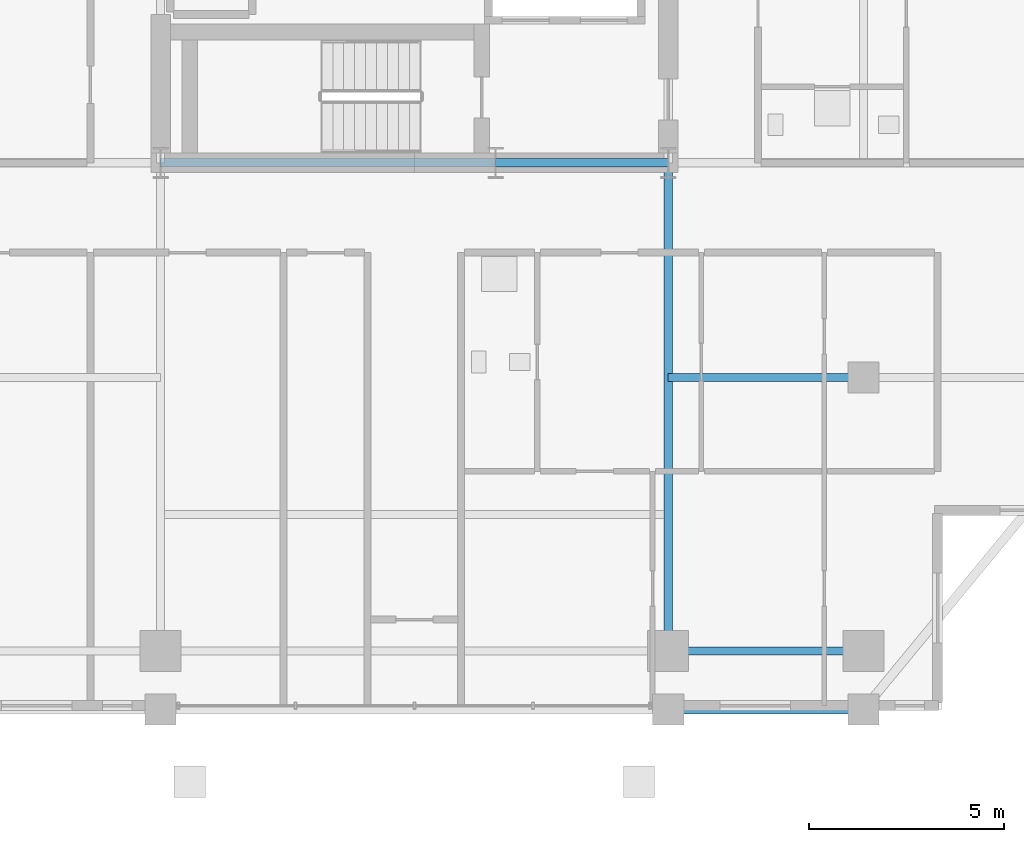
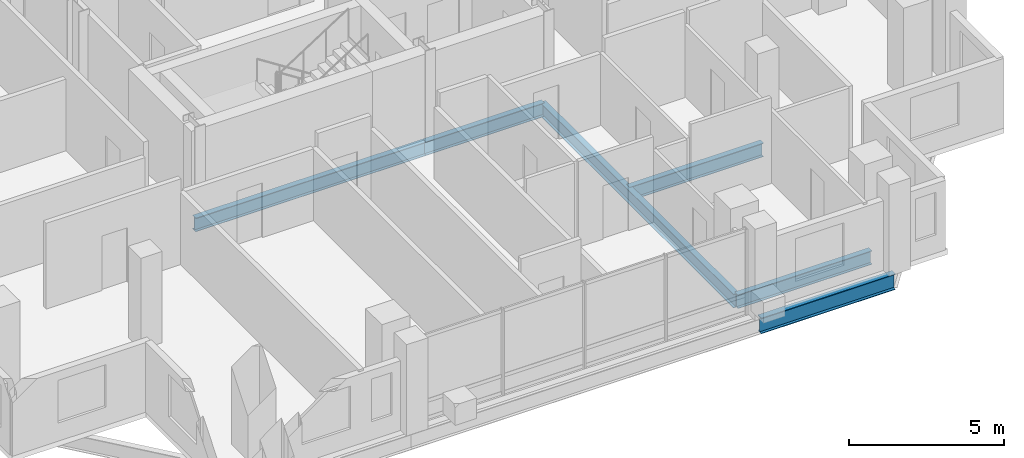
# One storey, part 5 of 24: 6 beams.
"""IFC4 building model written with IfcOpenShell, lengths in metres."""

from ifc_helpers import new_model, si_unit, direction, frame, origin, origin_2d, place, context, subcontext, project, spatial, i_section, extrude, material, material_profile, profile_set, type_object, element, save


model = new_model("IFC4")

# Units and contexts
model_context = context("Model", 3, precision=1e-05, world=origin(), true_north=direction((0.0, 1.0)))
body_context = subcontext(model_context, "Body", "Model", "MODEL_VIEW")
ifc_project = project(units=[si_unit("LENGTHUNIT", "METRE"), si_unit("AREAUNIT", "SQUARE_METRE"), si_unit("VOLUMEUNIT", "CUBIC_METRE"), si_unit("PLANEANGLEUNIT", "RADIAN"), si_unit("MASSUNIT", "GRAM", prefix="KILO")], contexts=[model_context])

# Site, building, storey
site_placement = place(None, origin())
site = spatial("IfcSite", under=ifc_project, at=site_placement, CompositionType="ELEMENT")
building_placement = place(site_placement, origin())
building = spatial("IfcBuilding", under=site, at=building_placement, Name="Barlavira Tower and Art Museum", CompositionType="ELEMENT")
storey_placement = place(building_placement, frame((0.0, 0.0, 180.0)))
storey = spatial("IfcBuildingStorey", under=building, at=storey_placement, Name="L46", CompositionType="ELEMENT", Elevation=180.0)

# Beams
ifc_material = material(Name="Steel S355", Category="steel")
ifc_material_profile_1 = material_profile(ifc_material, i_section(OverallWidth=0.22998046875, OverallDepth=0.616943359375, WebThickness=0.01318359375, FlangeThickness=0.022216796875, at=origin_2d()), Name="W610x140.0")
ifc_profile_set_1 = profile_set([ifc_material_profile_1], Name="Steel S355")
beam_type_1 = type_object("IfcBeamType", Name="Upper Shaft Spandrel Edge Beam W610x140 Steel S355", PredefinedType="SPANDREL", material=ifc_profile_set_1)
beam_1_placement = place(storey_placement, frame((6.5, -21.5, -0.528564453125), z_axis=(1.0, 0.0, 0.0), x_axis=(0.0, 1.0, 0.0)))
element("IfcBeam", 1, at=beam_1_placement, inside=storey, type_object=beam_type_1, Name="L46 Spandrel 3", PredefinedType="SPANDREL", context=body_context, shape_type="SweptSolid", body=[
    extrude(i_section(OverallWidth=0.22998046875, OverallDepth=0.616943359375, WebThickness=0.01318359375, FlangeThickness=0.022216796875, at=origin_2d()), origin(), (0.0, 0.0, 1.0), 5.0),
])
ifc_material_profile_2 = material_profile(ifc_material, i_section(OverallWidth=0.2109375, OverallDepth=0.5390625, WebThickness=0.01171875, FlangeThickness=0.018798828125, at=origin_2d()), Name="W530x109.0")
ifc_profile_set_2 = profile_set([ifc_material_profile_2], Name="Steel S355")
beam_type_2 = type_object("IfcBeamType", Name="Zone 3-4 Primary Floor Girder W530x109 Steel S355", PredefinedType="BEAM", material=ifc_profile_set_2)
beam_2_placement = place(storey_placement, frame((-6.5, -7.5, -0.489501953125), z_axis=(1.0, 0.0, 0.0), x_axis=(0.0, 1.0, 0.0)))
element("IfcBeam", 2, at=beam_2_placement, inside=storey, type_object=beam_type_2, Name="L46 Girder C-S1", PredefinedType="BEAM", context=body_context, shape_type="SweptSolid", body=[
    extrude(i_section(OverallWidth=0.2109375, OverallDepth=0.5390625, WebThickness=0.01171875, FlangeThickness=0.018798828125, at=origin_2d()), origin(), (0.0, 0.0, 1.0), 8.580078125),
])
beam_3_placement = place(storey_placement, frame((2.080078125, -7.5, -0.489501953125), z_axis=(1.0, 0.0, 0.0), x_axis=(0.0, 1.0, 0.0)))
element("IfcBeam", 3, at=beam_3_placement, inside=storey, type_object=beam_type_2, Name="L46 Girder C-S2", PredefinedType="BEAM", context=body_context, shape_type="SweptSolid", body=[
    extrude(i_section(OverallWidth=0.2109375, OverallDepth=0.5390625, WebThickness=0.01171875, FlangeThickness=0.018798828125, at=origin_2d()), origin(), (0.0, 0.0, 1.0), 4.419921875),
])
beam_4_placement = place(storey_placement, frame((6.5, -20.0, -0.489501953125), z_axis=(1.0, 0.0, 0.0), x_axis=(0.0, 1.0, 0.0)))
element("IfcBeam", 4, at=beam_4_placement, inside=storey, type_object=beam_type_2, Name="L46 Girder M-S3", PredefinedType="BEAM", context=body_context, shape_type="SweptSolid", body=[
    extrude(i_section(OverallWidth=0.2109375, OverallDepth=0.5390625, WebThickness=0.01171875, FlangeThickness=0.018798828125, at=origin_2d()), origin(), (0.0, 0.0, 1.0), 5.0),
])
beam_5_placement = place(storey_placement, frame((6.5, -20.0, -0.489501953125), z_axis=(0.0, 1.0, 0.0), x_axis=(-1.0, 0.0, 0.0)))
element("IfcBeam", 5, at=beam_5_placement, inside=storey, type_object=beam_type_2, Name="L46 Girder R-S2", PredefinedType="BEAM", context=body_context, shape_type="SweptSolid", body=[
    extrude(i_section(OverallWidth=0.2109375, OverallDepth=0.5390625, WebThickness=0.01171875, FlangeThickness=0.018798828125, at=origin_2d()), origin(), (0.0, 0.0, 1.0), 12.5),
])
beam_6_placement = place(storey_placement, frame((6.5, -13.0, -0.489501953125), z_axis=(1.0, 0.0, 0.0), x_axis=(0.0, 1.0, 0.0)))
element("IfcBeam", 6, at=beam_6_placement, inside=storey, type_object=beam_type_2, Name="L46 Girder I-S3", PredefinedType="BEAM", context=body_context, shape_type="SweptSolid", body=[
    extrude(i_section(OverallWidth=0.2109375, OverallDepth=0.5390625, WebThickness=0.01171875, FlangeThickness=0.018798828125, at=origin_2d()), origin(), (0.0, 0.0, 1.0), 5.0),
])

save(model, "model.ifc")
